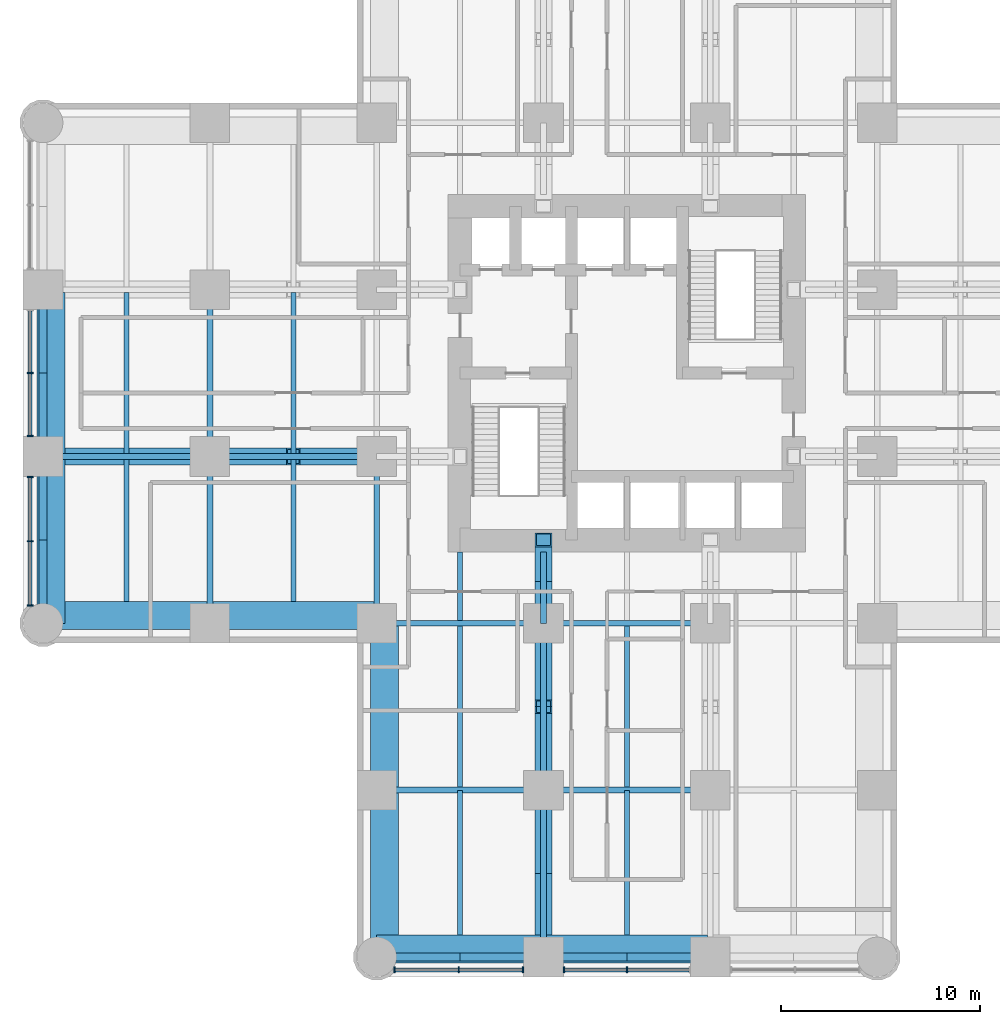
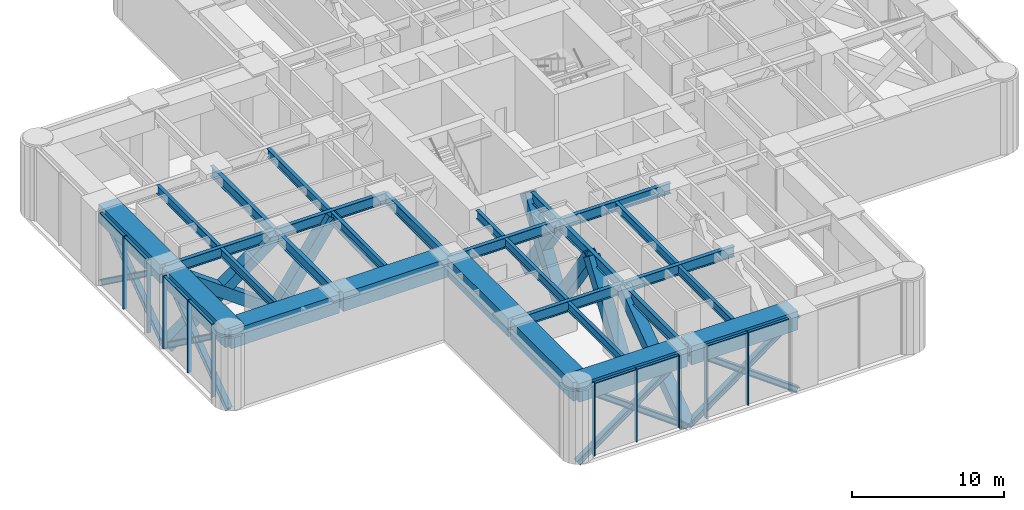
# One storey, part 2 of 12: 36 members, 29 beams, 2 elements without a shape of their own.
"""IFC4 building model written with IfcOpenShell, lengths in metres."""

from ifc_helpers import new_model, si_unit, direction, frame, origin, origin_2d, place, context, subcontext, project, spatial, rectangle, hollow_rectangle, i_section, extrude, material, material_profile, profile_set, type_object, element, aggregate, save


model = new_model("IFC4")

# Units and contexts
model_context = context("Model", 3, precision=1e-05, world=origin(), true_north=direction((0.0, 1.0)))
body_context = subcontext(model_context, "Body", "Model", "MODEL_VIEW")
ifc_project = project(units=[si_unit("LENGTHUNIT", "METRE"), si_unit("AREAUNIT", "SQUARE_METRE"), si_unit("VOLUMEUNIT", "CUBIC_METRE"), si_unit("PLANEANGLEUNIT", "RADIAN"), si_unit("MASSUNIT", "GRAM", prefix="KILO")], contexts=[model_context])

# Site, building, storey
site_placement = place(None, origin())
site = spatial("IfcSite", under=ifc_project, at=site_placement, CompositionType="ELEMENT")
building_placement = place(site_placement, origin())
building = spatial("IfcBuilding", under=site, at=building_placement, Name="Torre Alcanfor", CompositionType="ELEMENT")
storey_placement = place(building_placement, frame((0.0, 0.0, 102.89990234375)))
storey = spatial("IfcBuildingStorey", under=building, at=storey_placement, Name="L26", CompositionType="ELEMENT", Elevation=102.89990234375)

# Members
ifc_material_1 = material(Name="Steel ASTM A992 Grade 50", Category="steel")
ifc_material_profile_1 = material_profile(ifc_material_1, i_section(OverallWidth=0.411376953125, OverallDepth=0.434326171875, WebThickness=0.035888671875, FlangeThickness=0.057373046875, at=origin_2d()), Name="W14x311")
ifc_profile_set_1 = profile_set([ifc_material_profile_1], Name="Steel ASTM A992 Grade 50")
member_type_1 = type_object("IfcMemberType", Name="Belt truss diagonal W14x311", PredefinedType="BRACE", material=ifc_profile_set_1)
for number, where, z_axis, x_axis, name in (
    (1, (16.800048828125, 0.0, -0.64990234375), (0.809144712888, 0.0, 0.587609422665), (0.0, 1.0, 0.0), "Belt truss L26 S arm panel 1 diagonal A"),
    (2, (25.199951171875, 0.0, -0.64990234375), (-0.809144712888, 0.0, 0.587609422665), (0.0, -1.0, 0.0), "Belt truss L26 S arm panel 1 diagonal B"),
):
    element("IfcMember", number, at=place(storey_placement, frame(where, z_axis=z_axis, x_axis=x_axis)), inside=storey, type_object=member_type_1, Name=name, PredefinedType="BRACE", context=body_context, shape_type="SweptSolid", body=[
        extrude(i_section(OverallWidth=0.411376953125, OverallDepth=0.434326171875, WebThickness=0.035888671875, FlangeThickness=0.057373046875, at=origin_2d()), origin(), (0.0, 0.0, 1.0), 10.381103515625),
    ])
for number, where, z_axis, x_axis, name in (
    (3, (25.199951171875, 0.0, -0.64990234375), (0.809152832909, 0.0, 0.587598241144), (0.0, 1.0, 0.0), "Belt truss L26 S arm panel 2 diagonal A"),
    (4, (33.60009765625, 0.0, -0.64990234375), (-0.809152832909, 0.0, 0.587598241144), (0.0, -1.0, 0.0), "Belt truss L26 S arm panel 2 diagonal B"),
):
    element("IfcMember", number, at=place(storey_placement, frame(where, z_axis=z_axis, x_axis=x_axis)), inside=storey, type_object=member_type_1, Name=name, PredefinedType="BRACE", context=body_context, shape_type="SweptSolid", body=[
        extrude(i_section(OverallWidth=0.411376953125, OverallDepth=0.434326171875, WebThickness=0.035888671875, FlangeThickness=0.057373046875, at=origin_2d()), origin(), (0.0, 0.0, 1.0), 10.38134765625),
    ])
for number, where, z_axis, x_axis, name in (
    (5, (0.0, 16.800048828125, -0.64990234375), (0.0, 0.809144712888, 0.587609422665), (-1.0, 0.0, 0.0), "Belt truss L26 W arm panel 1 diagonal A"),
    (6, (0.0, 25.199951171875, -0.64990234375), (0.0, -0.809144712888, 0.587609422665), (1.0, 0.0, 0.0), "Belt truss L26 W arm panel 1 diagonal B"),
):
    element("IfcMember", number, at=place(storey_placement, frame(where, z_axis=z_axis, x_axis=x_axis)), inside=storey, type_object=member_type_1, Name=name, PredefinedType="BRACE", context=body_context, shape_type="SweptSolid", body=[
        extrude(i_section(OverallWidth=0.411376953125, OverallDepth=0.434326171875, WebThickness=0.035888671875, FlangeThickness=0.057373046875, at=origin_2d()), origin(), (0.0, 0.0, 1.0), 10.381103515625),
    ])
for number, where, z_axis, x_axis, name in (
    (7, (0.0, 25.199951171875, -0.64990234375), (0.0, 0.809152832909, 0.587598241144), (-1.0, 0.0, 0.0), "Belt truss L26 W arm panel 2 diagonal A"),
    (8, (0.0, 33.60009765625, -0.64990234375), (0.0, -0.809152832909, 0.587598241144), (1.0, 0.0, 0.0), "Belt truss L26 W arm panel 2 diagonal B"),
):
    element("IfcMember", number, at=place(storey_placement, frame(where, z_axis=z_axis, x_axis=x_axis)), inside=storey, type_object=member_type_1, Name=name, PredefinedType="BRACE", context=body_context, shape_type="SweptSolid", body=[
        extrude(i_section(OverallWidth=0.411376953125, OverallDepth=0.434326171875, WebThickness=0.035888671875, FlangeThickness=0.057373046875, at=origin_2d()), origin(), (0.0, 0.0, 1.0), 10.38134765625),
    ])

# Curtain wall, members
ifc_material_2 = material(Name="Aluminium and glass", Category="aluminium")
curtain_wall_type = type_object("IfcCurtainWallType", Name="CW-D plant floor louvre screen", PredefinedType="NOTDEFINED", material=ifc_material_2)
curtain_wall_1_placement = place(storey_placement, origin())
curtain_wall_1 = element("IfcCurtainWall", 9, at=curtain_wall_1_placement, inside=storey, type_object=curtain_wall_type, Name="Curtain wall CW-D L26 2", PredefinedType="NOTDEFINED")
ifc_material_3 = material(Name="Extruded aluminium", Category="aluminium")
ifc_material_profile_2 = material_profile(ifc_material_3, rectangle(XDim=0.300048828125, YDim=0.06494140625, at=origin_2d()), Name="CW-D mullion 65x300")
ifc_profile_set_2 = profile_set([ifc_material_profile_2], Name="Extruded aluminium")
member_type_2 = type_object("IfcMemberType", Name="CW-D mullion 65x300", PredefinedType="MULLION", material=ifc_profile_set_2)
member_1_placement = place(storey_placement, frame((-0.64990234375, 29.39990234375, 0.0), z_axis=(0.0, 0.0, 1.0), x_axis=(1.0, 0.0, 0.0)))
member_1 = element("IfcMember", 10, at=member_1_placement, type_object=member_type_2, Name="CW-D mullion 2.2", PredefinedType="MULLION", context=body_context, shape_type="SweptSolid", body=[
    extrude(rectangle(XDim=0.300048828125, YDim=0.06494140625, at=origin_2d()), origin(), (0.0, 0.0, 1.0), 5.85009765625),
])
member_2_placement = place(storey_placement, frame((-0.64990234375, 26.237548828125, 0.0), z_axis=(0.0, 0.0, 1.0), x_axis=(1.0, 0.0, 0.0)))
member_2 = element("IfcMember", 11, at=member_2_placement, type_object=member_type_2, Name="CW-D mullion 2.3", PredefinedType="MULLION", context=body_context, shape_type="SweptSolid", body=[
    extrude(rectangle(XDim=0.300048828125, YDim=0.06494140625, at=origin_2d()), origin(), (0.0, 0.0, 1.0), 5.85009765625),
])
member_3_placement = place(storey_placement, frame((-0.64990234375, 24.16259765625, 0.0), z_axis=(0.0, 0.0, 1.0), x_axis=(1.0, 0.0, 0.0)))
member_3 = element("IfcMember", 12, at=member_3_placement, type_object=member_type_2, Name="CW-D mullion 3.1", PredefinedType="MULLION", context=body_context, shape_type="SweptSolid", body=[
    extrude(rectangle(XDim=0.300048828125, YDim=0.06494140625, at=origin_2d()), origin(), (0.0, 0.0, 1.0), 5.85009765625),
])
member_4_placement = place(storey_placement, frame((-0.64990234375, 20.933349609375, 0.0), z_axis=(0.0, 0.0, 1.0), x_axis=(1.0, 0.0, 0.0)))
member_4 = element("IfcMember", 13, at=member_4_placement, type_object=member_type_2, Name="CW-D mullion 3.2", PredefinedType="MULLION", context=body_context, shape_type="SweptSolid", body=[
    extrude(rectangle(XDim=0.300048828125, YDim=0.06494140625, at=origin_2d()), origin(), (0.0, 0.0, 1.0), 5.85009765625),
])
member_5_placement = place(storey_placement, frame((-0.64990234375, 17.7041015625, 0.0), z_axis=(0.0, 0.0, 1.0), x_axis=(1.0, 0.0, 0.0)))
member_5 = element("IfcMember", 14, at=member_5_placement, type_object=member_type_2, Name="CW-D mullion 3.3", PredefinedType="MULLION", context=body_context, shape_type="SweptSolid", body=[
    extrude(rectangle(XDim=0.300048828125, YDim=0.06494140625, at=origin_2d()), origin(), (0.0, 0.0, 1.0), 5.85009765625),
])

curtain_wall_2_placement = place(storey_placement, origin())
curtain_wall_2 = element("IfcCurtainWall", 15, at=curtain_wall_2_placement, inside=storey, type_object=curtain_wall_type, Name="Curtain wall CW-D L26 5", PredefinedType="NOTDEFINED")
member_6_placement = place(storey_placement, frame((17.7041015625, -0.64990234375, 0.0), z_axis=(0.0, 0.0, 1.0), x_axis=(0.0, 1.0, 0.0)))
member_6 = element("IfcMember", 16, at=member_6_placement, type_object=member_type_2, Name="CW-D mullion 1.1", PredefinedType="MULLION", context=body_context, shape_type="SweptSolid", body=[
    extrude(rectangle(XDim=0.300048828125, YDim=0.06494140625, at=origin_2d()), origin(), (0.0, 0.0, 1.0), 5.85009765625),
])
member_7_placement = place(storey_placement, frame((20.933349609375, -0.64990234375, 0.0), z_axis=(0.0, 0.0, 1.0), x_axis=(0.0, 1.0, 0.0)))
member_7 = element("IfcMember", 17, at=member_7_placement, type_object=member_type_2, Name="CW-D mullion 1.2", PredefinedType="MULLION", context=body_context, shape_type="SweptSolid", body=[
    extrude(rectangle(XDim=0.300048828125, YDim=0.06494140625, at=origin_2d()), origin(), (0.0, 0.0, 1.0), 5.85009765625),
])
member_8_placement = place(storey_placement, frame((24.16259765625, -0.64990234375, 0.0), z_axis=(0.0, 0.0, 1.0), x_axis=(0.0, 1.0, 0.0)))
member_8 = element("IfcMember", 18, at=member_8_placement, type_object=member_type_2, Name="CW-D mullion 1.3", PredefinedType="MULLION", context=body_context, shape_type="SweptSolid", body=[
    extrude(rectangle(XDim=0.300048828125, YDim=0.06494140625, at=origin_2d()), origin(), (0.0, 0.0, 1.0), 5.85009765625),
])
member_9_placement = place(storey_placement, frame((26.237548828125, -0.64990234375, 0.0), z_axis=(0.0, 0.0, 1.0), x_axis=(0.0, 1.0, 0.0)))
member_9 = element("IfcMember", 19, at=member_9_placement, type_object=member_type_2, Name="CW-D mullion 2.1", PredefinedType="MULLION", context=body_context, shape_type="SweptSolid", body=[
    extrude(rectangle(XDim=0.300048828125, YDim=0.06494140625, at=origin_2d()), origin(), (0.0, 0.0, 1.0), 5.85009765625),
])
member_10_placement = place(storey_placement, frame((29.39990234375, -0.64990234375, 0.0), z_axis=(0.0, 0.0, 1.0), x_axis=(0.0, 1.0, 0.0)))
member_10 = element("IfcMember", 20, at=member_10_placement, type_object=member_type_2, Name="CW-D mullion 2.2", PredefinedType="MULLION", context=body_context, shape_type="SweptSolid", body=[
    extrude(rectangle(XDim=0.300048828125, YDim=0.06494140625, at=origin_2d()), origin(), (0.0, 0.0, 1.0), 5.85009765625),
])

# Member
ifc_material_4 = material(Name="Extruded aluminium", Category="aluminium")
ifc_material_profile_3 = material_profile(ifc_material_4, rectangle(XDim=0.199951171875, YDim=0.06494140625, at=origin_2d()), Name="CW-D transom 200x65")
ifc_profile_set_3 = profile_set([ifc_material_profile_3], Name="Extruded aluminium")
member_type_3 = type_object("IfcMemberType", Name="CW-D transom 65x200", PredefinedType="USERDEFINED", material=ifc_profile_set_3)
member_11_placement = place(storey_placement, frame((-0.64990234375, 32.530029296875, 5.817626953125), z_axis=(0.0, -1.0, 0.0), x_axis=(1.0, 0.0, 0.0)))
member_11 = element("IfcMember", 21, at=member_11_placement, type_object=member_type_3, Name="CW-D transom 2.1.2", ObjectType="TRANSOM", PredefinedType="USERDEFINED", context=body_context, shape_type="SweptSolid", body=[
    extrude(rectangle(XDim=0.199951171875, YDim=0.06494140625, at=origin_2d()), origin(), (0.0, 0.0, 1.0), 3.097412109375),
])

member_12_placement = place(storey_placement, frame((-0.64990234375, 29.367431640625, 5.817626953125), z_axis=(0.0, -1.0, 0.0), x_axis=(1.0, 0.0, 0.0)))
member_12 = element("IfcMember", 22, at=member_12_placement, type_object=member_type_3, Name="CW-D transom 2.2.2", ObjectType="TRANSOM", PredefinedType="USERDEFINED", context=body_context, shape_type="SweptSolid", body=[
    extrude(rectangle(XDim=0.199951171875, YDim=0.06494140625, at=origin_2d()), origin(), (0.0, 0.0, 1.0), 3.097412109375),
])

member_13_placement = place(storey_placement, frame((-0.64990234375, 24.1298828125, 5.817626953125), z_axis=(0.0, -1.0, 0.0), x_axis=(1.0, 0.0, 0.0)))
member_13 = element("IfcMember", 23, at=member_13_placement, type_object=member_type_3, Name="CW-D transom 3.1.2", ObjectType="TRANSOM", PredefinedType="USERDEFINED", context=body_context, shape_type="SweptSolid", body=[
    extrude(rectangle(XDim=0.199951171875, YDim=0.06494140625, at=origin_2d()), origin(), (0.0, 0.0, 1.0), 3.1640625),
])

member_14_placement = place(storey_placement, frame((-0.64990234375, 20.90087890625, 5.817626953125), z_axis=(0.0, -1.0, 0.0), x_axis=(1.0, 0.0, 0.0)))
member_14 = element("IfcMember", 24, at=member_14_placement, type_object=member_type_3, Name="CW-D transom 3.2.2", ObjectType="TRANSOM", PredefinedType="USERDEFINED", context=body_context, shape_type="SweptSolid", body=[
    extrude(rectangle(XDim=0.199951171875, YDim=0.06494140625, at=origin_2d()), origin(), (0.0, 0.0, 1.0), 3.1640625),
])

aggregate(curtain_wall_1, [member_1, member_2, member_11, member_12, member_3, member_4, member_5, member_13, member_14])

member_15_placement = place(storey_placement, frame((17.73681640625, -0.64990234375, 5.817626953125), z_axis=(1.0, 0.0, 0.0), x_axis=(0.0, 1.0, 0.0)))
member_15 = element("IfcMember", 25, at=member_15_placement, type_object=member_type_3, Name="CW-D transom 1.1.2", ObjectType="TRANSOM", PredefinedType="USERDEFINED", context=body_context, shape_type="SweptSolid", body=[
    extrude(rectangle(XDim=0.199951171875, YDim=0.06494140625, at=origin_2d()), origin(), (0.0, 0.0, 1.0), 3.1640625),
])

member_16_placement = place(storey_placement, frame((20.9658203125, -0.64990234375, 5.817626953125), z_axis=(1.0, 0.0, 0.0), x_axis=(0.0, 1.0, 0.0)))
member_16 = element("IfcMember", 26, at=member_16_placement, type_object=member_type_3, Name="CW-D transom 1.2.2", ObjectType="TRANSOM", PredefinedType="USERDEFINED", context=body_context, shape_type="SweptSolid", body=[
    extrude(rectangle(XDim=0.199951171875, YDim=0.06494140625, at=origin_2d()), origin(), (0.0, 0.0, 1.0), 3.1640625),
])

member_17_placement = place(storey_placement, frame((26.27001953125, -0.64990234375, 5.817626953125), z_axis=(1.0, 0.0, 0.0), x_axis=(0.0, 1.0, 0.0)))
member_17 = element("IfcMember", 27, at=member_17_placement, type_object=member_type_3, Name="CW-D transom 2.1.2", ObjectType="TRANSOM", PredefinedType="USERDEFINED", context=body_context, shape_type="SweptSolid", body=[
    extrude(rectangle(XDim=0.199951171875, YDim=0.06494140625, at=origin_2d()), origin(), (0.0, 0.0, 1.0), 3.097412109375),
])

member_18_placement = place(storey_placement, frame((29.4326171875, -0.64990234375, 5.817626953125), z_axis=(1.0, 0.0, 0.0), x_axis=(0.0, 1.0, 0.0)))
member_18 = element("IfcMember", 28, at=member_18_placement, type_object=member_type_3, Name="CW-D transom 2.2.2", ObjectType="TRANSOM", PredefinedType="USERDEFINED", context=body_context, shape_type="SweptSolid", body=[
    extrude(rectangle(XDim=0.199951171875, YDim=0.06494140625, at=origin_2d()), origin(), (0.0, 0.0, 1.0), 3.097412109375),
])

aggregate(curtain_wall_2, [member_6, member_7, member_8, member_15, member_16, member_9, member_10, member_17, member_18])

# Beams
ifc_material_5 = material(Name="Steel ASTM A992 Grade 50", Category="steel")
ifc_material_profile_4 = material_profile(ifc_material_5, i_section(OverallWidth=0.2919921875, OverallDepth=0.8408203125, WebThickness=0.0146484375, FlangeThickness=0.021728515625, at=origin_2d()), Name="W33x130")
ifc_profile_set_4 = profile_set([ifc_material_profile_4], Name="Steel ASTM A992 Grade 50")
beam_type_1 = type_object("IfcBeamType", Name="Girder W33x130", PredefinedType="BEAM", material=ifc_profile_set_4)
beam_1_placement = place(storey_placement, frame((16.800048828125, 8.39990234375, 5.4296875), z_axis=(1.0, 0.0, 0.0), x_axis=(0.0, 1.0, 0.0)))
element("IfcBeam", 29, at=beam_1_placement, inside=storey, type_object=beam_type_1, Name="Beam 3D-4D under L27", PredefinedType="BEAM", context=body_context, shape_type="SweptSolid", body=[
    extrude(i_section(OverallWidth=0.2919921875, OverallDepth=0.8408203125, WebThickness=0.0146484375, FlangeThickness=0.021728515625, at=origin_2d()), origin(), (0.0, 0.0, 1.0), 8.39990234375),
])
beam_2_placement = place(storey_placement, frame((25.199951171875, 8.39990234375, 5.4296875), z_axis=(1.0, 0.0, 0.0), x_axis=(0.0, 1.0, 0.0)))
element("IfcBeam", 30, at=beam_2_placement, inside=storey, type_object=beam_type_1, Name="Beam 4D-5D under L27", PredefinedType="BEAM", context=body_context, shape_type="SweptSolid", body=[
    extrude(i_section(OverallWidth=0.2919921875, OverallDepth=0.8408203125, WebThickness=0.0146484375, FlangeThickness=0.021728515625, at=origin_2d()), origin(), (0.0, 0.0, 1.0), 8.400146484375),
])
beam_3_placement = place(storey_placement, frame((16.800048828125, 16.800048828125, 5.4296875), z_axis=(1.0, 0.0, 0.0), x_axis=(0.0, 1.0, 0.0)))
element("IfcBeam", 31, at=beam_3_placement, inside=storey, type_object=beam_type_1, Name="Beam 3E-4E under L27", PredefinedType="BEAM", context=body_context, shape_type="SweptSolid", body=[
    extrude(i_section(OverallWidth=0.2919921875, OverallDepth=0.8408203125, WebThickness=0.0146484375, FlangeThickness=0.021728515625, at=origin_2d()), origin(), (0.0, 0.0, 1.0), 8.39990234375),
])
beam_4_placement = place(storey_placement, frame((25.199951171875, 16.800048828125, 5.4296875), z_axis=(1.0, 0.0, 0.0), x_axis=(0.0, 1.0, 0.0)))
element("IfcBeam", 32, at=beam_4_placement, inside=storey, type_object=beam_type_1, Name="Beam 4E-5E under L27", PredefinedType="BEAM", context=body_context, shape_type="SweptSolid", body=[
    extrude(i_section(OverallWidth=0.2919921875, OverallDepth=0.8408203125, WebThickness=0.0146484375, FlangeThickness=0.021728515625, at=origin_2d()), origin(), (0.0, 0.0, 1.0), 8.400146484375),
])
beam_5_placement = place(storey_placement, frame((0.0, 25.199951171875, 5.4296875), z_axis=(1.0, 0.0, 0.0), x_axis=(0.0, 1.0, 0.0)))
element("IfcBeam", 33, at=beam_5_placement, inside=storey, type_object=beam_type_1, Name="Beam 1F-2F under L27", PredefinedType="BEAM", context=body_context, shape_type="SweptSolid", body=[
    extrude(i_section(OverallWidth=0.2919921875, OverallDepth=0.8408203125, WebThickness=0.0146484375, FlangeThickness=0.021728515625, at=origin_2d()), origin(), (0.0, 0.0, 1.0), 8.39990234375),
])
beam_6_placement = place(storey_placement, frame((8.39990234375, 25.199951171875, 5.4296875), z_axis=(1.0, 0.0, 0.0), x_axis=(0.0, 1.0, 0.0)))
element("IfcBeam", 34, at=beam_6_placement, inside=storey, type_object=beam_type_1, Name="Beam 2F-3F under L27", PredefinedType="BEAM", context=body_context, shape_type="SweptSolid", body=[
    extrude(i_section(OverallWidth=0.2919921875, OverallDepth=0.8408203125, WebThickness=0.0146484375, FlangeThickness=0.021728515625, at=origin_2d()), origin(), (0.0, 0.0, 1.0), 8.400146484375),
])
beam_7_placement = place(storey_placement, frame((8.39990234375, 16.800048828125, 5.4296875), z_axis=(0.0, 1.0, 0.0), x_axis=(-1.0, 0.0, 0.0)))
element("IfcBeam", 35, at=beam_7_placement, inside=storey, type_object=beam_type_1, Name="Beam 2E-2F under L27", PredefinedType="BEAM", context=body_context, shape_type="SweptSolid", body=[
    extrude(i_section(OverallWidth=0.2919921875, OverallDepth=0.8408203125, WebThickness=0.0146484375, FlangeThickness=0.021728515625, at=origin_2d()), origin(), (0.0, 0.0, 1.0), 8.39990234375),
])
beam_8_placement = place(storey_placement, frame((8.39990234375, 25.199951171875, 5.4296875), z_axis=(0.0, 1.0, 0.0), x_axis=(-1.0, 0.0, 0.0)))
element("IfcBeam", 36, at=beam_8_placement, inside=storey, type_object=beam_type_1, Name="Beam 2F-2G under L27", PredefinedType="BEAM", context=body_context, shape_type="SweptSolid", body=[
    extrude(i_section(OverallWidth=0.2919921875, OverallDepth=0.8408203125, WebThickness=0.0146484375, FlangeThickness=0.021728515625, at=origin_2d()), origin(), (0.0, 0.0, 1.0), 8.400146484375),
])
for number, where, z_axis, x_axis, name in (
    (37, (16.800048828125, 16.800048828125, 5.4296875), (0.0, 1.0, 0.0), (-1.0, 0.0, 0.0), "Beam 3E-3F under L27"),
    (38, (25.199951171875, 0.0, 5.329833984375), (0.0, 1.0, 0.0), (-1.0, 0.0, 0.0), "Beam 4C-4D under L27"),
):
    element("IfcBeam", number, at=place(storey_placement, frame(where, z_axis=z_axis, x_axis=x_axis)), inside=storey, type_object=beam_type_1, Name=name, PredefinedType="BEAM", context=body_context, shape_type="SweptSolid", body=[
        extrude(i_section(OverallWidth=0.2919921875, OverallDepth=0.8408203125, WebThickness=0.0146484375, FlangeThickness=0.021728515625, at=origin_2d()), origin(), (0.0, 0.0, 1.0), 8.39990234375),
    ])
beam_9_placement = place(storey_placement, frame((25.199951171875, 8.39990234375, 5.4296875), z_axis=(0.0, 1.0, 0.0), x_axis=(-1.0, 0.0, 0.0)))
element("IfcBeam", 39, at=beam_9_placement, inside=storey, type_object=beam_type_1, Name="Beam 4D-4E under L27", PredefinedType="BEAM", context=body_context, shape_type="SweptSolid", body=[
    extrude(i_section(OverallWidth=0.2919921875, OverallDepth=0.8408203125, WebThickness=0.0146484375, FlangeThickness=0.021728515625, at=origin_2d()), origin(), (0.0, 0.0, 1.0), 8.400146484375),
])
ifc_material_6 = material(Name="Steel ASTM A992 Grade 50", Category="steel")
ifc_material_profile_5 = material_profile(ifc_material_6, i_section(OverallWidth=0.2919921875, OverallDepth=0.8408203125, WebThickness=0.0146484375, FlangeThickness=0.021728515625, at=origin_2d()), Name="W33x130")
ifc_profile_set_5 = profile_set([ifc_material_profile_5], Name="Steel ASTM A992 Grade 50")
beam_type_2 = type_object("IfcBeamType", Name="Girder, part bay W33x130", PredefinedType="BEAM", material=ifc_profile_set_5)
beam_10_placement = place(storey_placement, frame((25.199951171875, 16.800048828125, 5.4296875), z_axis=(0.0, 1.0, 0.0), x_axis=(-1.0, 0.0, 0.0)))
element("IfcBeam", 40, at=beam_10_placement, inside=storey, type_object=beam_type_2, Name="Beam 4E-420_4 under L27", PredefinedType="BEAM", context=body_context, shape_type="SweptSolid", body=[
    extrude(i_section(OverallWidth=0.2919921875, OverallDepth=0.8408203125, WebThickness=0.0146484375, FlangeThickness=0.021728515625, at=origin_2d()), origin(), (0.0, 0.0, 1.0), 3.599853515625),
])

# Members
ifc_material_7 = material(Name="Steel ASTM A572 Grade 50 plate", Category="steel")
ifc_material_profile_6 = material_profile(ifc_material_7, hollow_rectangle(XDim=0.85009765625, YDim=0.85009765625, WallThickness=0.070068359375, at=origin_2d()), Name="BOX 850x850x70")
ifc_profile_set_6 = profile_set([ifc_material_profile_6], Name="Steel ASTM A572 Grade 50 plate")
member_type_4 = type_object("IfcMemberType", Name="Outrigger truss diagonal BOx850x850x70", PredefinedType="BRACE", material=ifc_profile_set_6)
for number, where, z_axis, x_axis, name in (
    (41, (25.199951171875, 21.0, -0.64990234375), (0.0, -0.567091101321, 0.823655075139), (1.0, 0.0, 0.0), "Outrigger truss L26 S arm grid 25.2 panel 1 diagonal A"),
    (42, (25.199951171875, 16.800048828125, -0.64990234375), (0.0, 0.567091101321, 0.823655075139), (-1.0, 0.0, 0.0), "Outrigger truss L26 S arm grid 25.2 panel 1 diagonal B"),
    (43, (25.199951171875, 16.800048828125, -0.64990234375), (0.0, -0.567091101321, 0.823655075139), (1.0, 0.0, 0.0), "Outrigger truss L26 S arm grid 25.2 panel 2 diagonal A"),
    (44, (25.199951171875, 8.39990234375, -0.64990234375), (0.0, 0.567113464175, 0.823639677742), (-1.0, 0.0, 0.0), "Outrigger truss L26 S arm grid 25.2 panel 2 diagonal B"),
):
    element("IfcMember", number, at=place(storey_placement, frame(where, z_axis=z_axis, x_axis=x_axis)), inside=storey, type_object=member_type_4, Name=name, PredefinedType="BRACE", context=body_context, shape_type="SweptSolid", body=[
        extrude(hollow_rectangle(XDim=0.85009765625, YDim=0.85009765625, WallThickness=0.070068359375, at=origin_2d()), origin(), (0.0, 0.0, 1.0), 7.40625),
    ])
for number, where, z_axis, x_axis, name in (
    (45, (25.199951171875, 8.39990234375, -0.64990234375), (0.0, -0.809144712888, 0.587609422665), (1.0, 0.0, 0.0), "Outrigger truss L26 S arm grid 25.2 panel 3 diagonal A"),
    (46, (25.199951171875, 0.0, -0.64990234375), (0.0, 0.809144712888, 0.587609422665), (-1.0, 0.0, 0.0), "Outrigger truss L26 S arm grid 25.2 panel 3 diagonal B"),
):
    element("IfcMember", number, at=place(storey_placement, frame(where, z_axis=z_axis, x_axis=x_axis)), inside=storey, type_object=member_type_4, Name=name, PredefinedType="BRACE", context=body_context, shape_type="SweptSolid", body=[
        extrude(hollow_rectangle(XDim=0.85009765625, YDim=0.85009765625, WallThickness=0.070068359375, at=origin_2d()), origin(), (0.0, 0.0, 1.0), 10.381103515625),
    ])
for number, where, z_axis, x_axis, name in (
    (47, (16.800048828125, 25.199951171875, -0.64990234375), (-0.567091101321, 0.0, 0.823655075139), (0.0, -1.0, 0.0), "Outrigger truss L26 W arm grid 25.2 panel 2 diagonal A"),
    (48, (8.39990234375, 25.199951171875, -0.64990234375), (0.567113464175, 0.0, 0.823639677742), (0.0, 1.0, 0.0), "Outrigger truss L26 W arm grid 25.2 panel 2 diagonal B"),
):
    element("IfcMember", number, at=place(storey_placement, frame(where, z_axis=z_axis, x_axis=x_axis)), inside=storey, type_object=member_type_4, Name=name, PredefinedType="BRACE", context=body_context, shape_type="SweptSolid", body=[
        extrude(hollow_rectangle(XDim=0.85009765625, YDim=0.85009765625, WallThickness=0.070068359375, at=origin_2d()), origin(), (0.0, 0.0, 1.0), 7.40625),
    ])
for number, where, z_axis, x_axis, name in (
    (49, (8.39990234375, 25.199951171875, -0.64990234375), (-0.809144712888, 0.0, 0.587609422665), (0.0, -1.0, 0.0), "Outrigger truss L26 W arm grid 25.2 panel 3 diagonal A"),
    (50, (0.0, 25.199951171875, -0.64990234375), (0.809144712888, 0.0, 0.587609422665), (0.0, 1.0, 0.0), "Outrigger truss L26 W arm grid 25.2 panel 3 diagonal B"),
):
    element("IfcMember", number, at=place(storey_placement, frame(where, z_axis=z_axis, x_axis=x_axis)), inside=storey, type_object=member_type_4, Name=name, PredefinedType="BRACE", context=body_context, shape_type="SweptSolid", body=[
        extrude(hollow_rectangle(XDim=0.85009765625, YDim=0.85009765625, WallThickness=0.070068359375, at=origin_2d()), origin(), (0.0, 0.0, 1.0), 10.381103515625),
    ])

# Beams
ifc_material_8 = material(Name="Concrete f'c 70 MPa", Category="concrete")
ifc_material_profile_7 = material_profile(ifc_material_8, rectangle(XDim=1.39990234375, YDim=1.5, at=origin_2d()), Name="1400x1500")
ifc_profile_set_7 = profile_set([ifc_material_profile_7], Name="Concrete f'c 70 MPa")
beam_type_3 = type_object("IfcBeamType", Name="RC perimeter beam 1400x1500", PredefinedType="BEAM", material=ifc_profile_set_7)
beam_11_placement = place(storey_placement, frame((16.800048828125, 0.39990234375, 5.10009765625), z_axis=(1.0, 0.0, 0.0), x_axis=(0.0, 1.0, 0.0)))
element("IfcBeam", 51, at=beam_11_placement, inside=storey, type_object=beam_type_3, Name="Beam 3C-4C under L27", PredefinedType="BEAM", context=body_context, shape_type="SweptSolid", body=[
    extrude(rectangle(XDim=1.39990234375, YDim=1.5, at=origin_2d()), origin(), (0.0, 0.0, 1.0), 8.25390625),
])
beam_12_placement = place(storey_placement, frame((25.345947265625, 0.39990234375, 5.10009765625), z_axis=(1.0, 0.0, 0.0), x_axis=(0.0, 1.0, 0.0)))
element("IfcBeam", 52, at=beam_12_placement, inside=storey, type_object=beam_type_3, Name="Beam 4C-5C under L27", PredefinedType="BEAM", context=body_context, shape_type="SweptSolid", body=[
    extrude(rectangle(XDim=1.39990234375, YDim=1.5, at=origin_2d()), origin(), (0.0, 0.0, 1.0), 8.108154296875),
])
beam_13_placement = place(storey_placement, frame((0.0, 17.199951171875, 5.10009765625), z_axis=(1.0, 0.0, 0.0), x_axis=(0.0, 1.0, 0.0)))
element("IfcBeam", 53, at=beam_13_placement, inside=storey, type_object=beam_type_3, Name="Beam 1E-2E under L27", PredefinedType="BEAM", context=body_context, shape_type="SweptSolid", body=[
    extrude(rectangle(XDim=1.39990234375, YDim=1.5, at=origin_2d()), origin(), (0.0, 0.0, 1.0), 8.25390625),
])
beam_14_placement = place(storey_placement, frame((8.5458984375, 17.199951171875, 5.10009765625), z_axis=(1.0, 0.0, 0.0), x_axis=(0.0, 1.0, 0.0)))
element("IfcBeam", 54, at=beam_14_placement, inside=storey, type_object=beam_type_3, Name="Beam 2E-3E under L27", PredefinedType="BEAM", context=body_context, shape_type="SweptSolid", body=[
    extrude(rectangle(XDim=1.39990234375, YDim=1.5, at=origin_2d()), origin(), (0.0, 0.0, 1.0), 8.400146484375),
])
beam_15_placement = place(storey_placement, frame((0.39990234375, 16.800048828125, 5.10009765625), z_axis=(0.0, 1.0, 0.0), x_axis=(-1.0, 0.0, 0.0)))
element("IfcBeam", 55, at=beam_15_placement, inside=storey, type_object=beam_type_3, Name="Beam 1E-1F under L27", PredefinedType="BEAM", context=body_context, shape_type="SweptSolid", body=[
    extrude(rectangle(XDim=1.39990234375, YDim=1.5, at=origin_2d()), origin(), (0.0, 0.0, 1.0), 8.25390625),
])
beam_16_placement = place(storey_placement, frame((0.39990234375, 25.345947265625, 5.10009765625), z_axis=(0.0, 1.0, 0.0), x_axis=(-1.0, 0.0, 0.0)))
element("IfcBeam", 56, at=beam_16_placement, inside=storey, type_object=beam_type_3, Name="Beam 1F-1G under L27", PredefinedType="BEAM", context=body_context, shape_type="SweptSolid", body=[
    extrude(rectangle(XDim=1.39990234375, YDim=1.5, at=origin_2d()), origin(), (0.0, 0.0, 1.0), 8.108154296875),
])
beam_17_placement = place(storey_placement, frame((17.199951171875, 0.0, 5.10009765625), z_axis=(0.0, 1.0, 0.0), x_axis=(-1.0, 0.0, 0.0)))
element("IfcBeam", 57, at=beam_17_placement, inside=storey, type_object=beam_type_3, Name="Beam 3C-3D under L27", PredefinedType="BEAM", context=body_context, shape_type="SweptSolid", body=[
    extrude(rectangle(XDim=1.39990234375, YDim=1.5, at=origin_2d()), origin(), (0.0, 0.0, 1.0), 8.25390625),
])
beam_18_placement = place(storey_placement, frame((17.199951171875, 8.5458984375, 5.10009765625), z_axis=(0.0, 1.0, 0.0), x_axis=(-1.0, 0.0, 0.0)))
element("IfcBeam", 58, at=beam_18_placement, inside=storey, type_object=beam_type_3, Name="Beam 3D-3E under L27", PredefinedType="BEAM", context=body_context, shape_type="SweptSolid", body=[
    extrude(rectangle(XDim=1.39990234375, YDim=1.5, at=origin_2d()), origin(), (0.0, 0.0, 1.0), 8.108154296875),
])
ifc_material_9 = material(Name="Steel ASTM A992 Grade 50", Category="steel")
ifc_material_profile_8 = material_profile(ifc_material_9, i_section(OverallWidth=0.25390625, OverallDepth=0.683349609375, WebThickness=0.012451171875, FlangeThickness=0.01904296875, at=origin_2d()), Name="W27x94")
ifc_profile_set_8 = profile_set([ifc_material_profile_8], Name="Steel ASTM A992 Grade 50")
beam_type_4 = type_object("IfcBeamType", Name="Secondary beam W27x94", PredefinedType="BEAM", material=ifc_profile_set_8)
beam_19_placement = place(storey_placement, frame((4.199951171875, 17.89990234375, 5.508544921875), z_axis=(0.0, 1.0, 0.0), x_axis=(-1.0, 0.0, 0.0)))
element("IfcBeam", 59, at=beam_19_placement, inside=storey, type_object=beam_type_4, Name="Beam 4_2E-4_2F under L27", PredefinedType="BEAM", context=body_context, shape_type="SweptSolid", body=[
    extrude(i_section(OverallWidth=0.25390625, OverallDepth=0.683349609375, WebThickness=0.012451171875, FlangeThickness=0.01904296875, at=origin_2d()), origin(), (0.0, 0.0, 1.0), 7.154052734375),
])
beam_20_placement = place(storey_placement, frame((4.199951171875, 25.345947265625, 5.508544921875), z_axis=(0.0, 1.0, 0.0), x_axis=(-1.0, 0.0, 0.0)))
element("IfcBeam", 60, at=beam_20_placement, inside=storey, type_object=beam_type_4, Name="Beam 4_2F-4_2G under L27", PredefinedType="BEAM", context=body_context, shape_type="SweptSolid", body=[
    extrude(i_section(OverallWidth=0.25390625, OverallDepth=0.683349609375, WebThickness=0.012451171875, FlangeThickness=0.01904296875, at=origin_2d()), origin(), (0.0, 0.0, 1.0), 8.108154296875),
])
beam_21_placement = place(storey_placement, frame((12.60009765625, 17.89990234375, 5.508544921875), z_axis=(0.0, 1.0, 0.0), x_axis=(-1.0, 0.0, 0.0)))
element("IfcBeam", 61, at=beam_21_placement, inside=storey, type_object=beam_type_4, Name="Beam 12_6E-12_6F under L27", PredefinedType="BEAM", context=body_context, shape_type="SweptSolid", body=[
    extrude(i_section(OverallWidth=0.25390625, OverallDepth=0.683349609375, WebThickness=0.012451171875, FlangeThickness=0.01904296875, at=origin_2d()), origin(), (0.0, 0.0, 1.0), 7.154052734375),
])
beam_22_placement = place(storey_placement, frame((12.60009765625, 25.345947265625, 5.508544921875), z_axis=(0.0, 1.0, 0.0), x_axis=(-1.0, 0.0, 0.0)))
element("IfcBeam", 62, at=beam_22_placement, inside=storey, type_object=beam_type_4, Name="Beam 12_6F-12_6G under L27", PredefinedType="BEAM", context=body_context, shape_type="SweptSolid", body=[
    extrude(i_section(OverallWidth=0.25390625, OverallDepth=0.683349609375, WebThickness=0.012451171875, FlangeThickness=0.01904296875, at=origin_2d()), origin(), (0.0, 0.0, 1.0), 8.108154296875),
])
beam_23_placement = place(storey_placement, frame((21.0, 1.10009765625, 5.408447265625), z_axis=(0.0, 1.0, 0.0), x_axis=(-1.0, 0.0, 0.0)))
element("IfcBeam", 63, at=beam_23_placement, inside=storey, type_object=beam_type_4, Name="Beam 21C-21D under L27", PredefinedType="BEAM", context=body_context, shape_type="SweptSolid", body=[
    extrude(i_section(OverallWidth=0.25390625, OverallDepth=0.683349609375, WebThickness=0.012451171875, FlangeThickness=0.01904296875, at=origin_2d()), origin(), (0.0, 0.0, 1.0), 7.29296875),
])
beam_24_placement = place(storey_placement, frame((21.0, 8.5458984375, 5.508544921875), z_axis=(0.0, 1.0, 0.0), x_axis=(-1.0, 0.0, 0.0)))
element("IfcBeam", 64, at=beam_24_placement, inside=storey, type_object=beam_type_4, Name="Beam 21D-21E under L27", PredefinedType="BEAM", context=body_context, shape_type="SweptSolid", body=[
    extrude(i_section(OverallWidth=0.25390625, OverallDepth=0.683349609375, WebThickness=0.012451171875, FlangeThickness=0.01904296875, at=origin_2d()), origin(), (0.0, 0.0, 1.0), 8.108154296875),
])
beam_25_placement = place(storey_placement, frame((29.39990234375, 1.10009765625, 5.408447265625), z_axis=(0.0, 1.0, 0.0), x_axis=(-1.0, 0.0, 0.0)))
element("IfcBeam", 65, at=beam_25_placement, inside=storey, type_object=beam_type_4, Name="Beam 29_4C-29_4D under L27", PredefinedType="BEAM", context=body_context, shape_type="SweptSolid", body=[
    extrude(i_section(OverallWidth=0.25390625, OverallDepth=0.683349609375, WebThickness=0.012451171875, FlangeThickness=0.01904296875, at=origin_2d()), origin(), (0.0, 0.0, 1.0), 7.29296875),
])
beam_26_placement = place(storey_placement, frame((29.39990234375, 8.5458984375, 5.508544921875), z_axis=(0.0, 1.0, 0.0), x_axis=(-1.0, 0.0, 0.0)))
element("IfcBeam", 66, at=beam_26_placement, inside=storey, type_object=beam_type_4, Name="Beam 29_4D-29_4E under L27", PredefinedType="BEAM", context=body_context, shape_type="SweptSolid", body=[
    extrude(i_section(OverallWidth=0.25390625, OverallDepth=0.683349609375, WebThickness=0.012451171875, FlangeThickness=0.01904296875, at=origin_2d()), origin(), (0.0, 0.0, 1.0), 8.108154296875),
])
ifc_material_10 = material(Name="Steel ASTM A992 Grade 50", Category="steel")
ifc_material_profile_9 = material_profile(ifc_material_10, i_section(OverallWidth=0.25390625, OverallDepth=0.683349609375, WebThickness=0.012451171875, FlangeThickness=0.01904296875, at=origin_2d()), Name="W27x94")
ifc_profile_set_9 = profile_set([ifc_material_profile_9], Name="Steel ASTM A992 Grade 50")
beam_type_5 = type_object("IfcBeamType", Name="Secondary beam, part bay W27x94", PredefinedType="BEAM", material=ifc_profile_set_9)
beam_27_placement = place(storey_placement, frame((21.0, 16.946044921875, 5.508544921875), z_axis=(0.0, 1.0, 0.0), x_axis=(-1.0, 0.0, 0.0)))
element("IfcBeam", 67, at=beam_27_placement, inside=storey, type_object=beam_type_5, Name="Beam 21E-2120_4 under L27", PredefinedType="BEAM", context=body_context, shape_type="SweptSolid", body=[
    extrude(i_section(OverallWidth=0.25390625, OverallDepth=0.683349609375, WebThickness=0.012451171875, FlangeThickness=0.01904296875, at=origin_2d()), origin(), (0.0, 0.0, 1.0), 3.453857421875),
])

save(model, "model.ifc")
